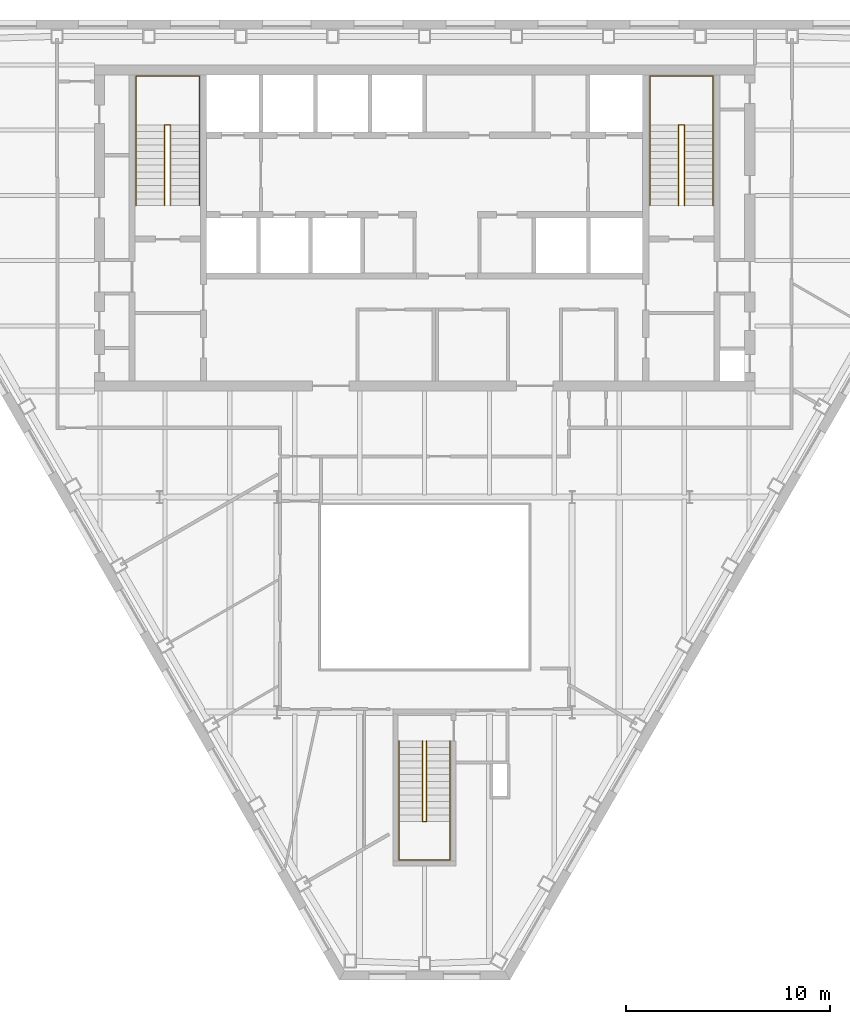
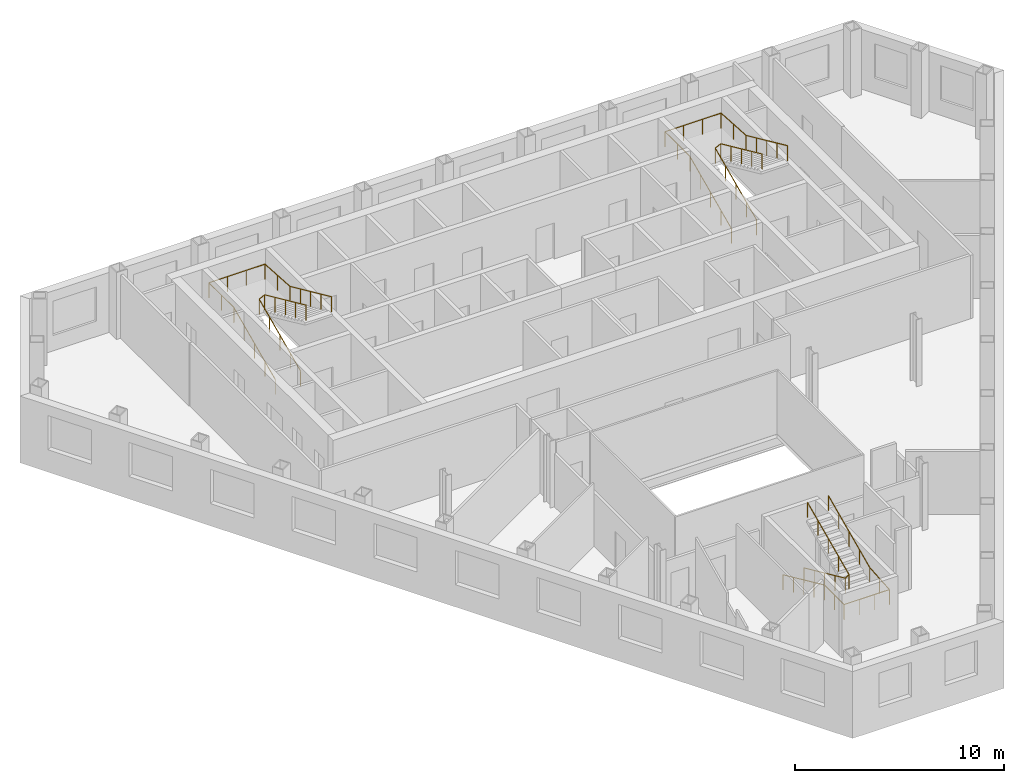
# One storey, part 10 of 10: 6 railings.
"""IFC4 building model written with IfcOpenShell, lengths in metres."""

from ifc_helpers import new_model, si_unit, direction, frame, origin, origin_2d, place, context, subcontext, project, spatial, circle, extrude, material, type_object, element, save


model = new_model("IFC4")

# Units and contexts
model_context = context("Model", 3, precision=1e-05, world=origin(), true_north=direction((0.0, 1.0)))
body_context = subcontext(model_context, "Body", "Model", "MODEL_VIEW")
ifc_project = project(units=[si_unit("LENGTHUNIT", "METRE"), si_unit("AREAUNIT", "SQUARE_METRE"), si_unit("VOLUMEUNIT", "CUBIC_METRE"), si_unit("PLANEANGLEUNIT", "RADIAN"), si_unit("MASSUNIT", "GRAM", prefix="KILO")], contexts=[model_context])

# Site, building, storey
site_placement = place(None, origin())
site = spatial("IfcSite", under=ifc_project, at=site_placement, CompositionType="ELEMENT")
building_placement = place(site_placement, origin())
building = spatial("IfcBuilding", under=site, at=building_placement, Name="Njiva Tower", CompositionType="ELEMENT")
storey_placement = place(building_placement, frame((0.0, 0.0, 167.1)))
storey = spatial("IfcBuildingStorey", under=building, at=storey_placement, Name="L36", CompositionType="ELEMENT", Elevation=167.1)

# Railings
ifc_material = material(Name="Stainless steel", Category="steel")
railing_type = type_object("IfcRailingType", Name="RL1 Stair handrail 900", PredefinedType="HANDRAIL", material=ifc_material)
railing_1_placement = place(storey_placement, frame((-14.15, 11.1, 0.15)))
element("IfcRailing", 1, at=railing_1_placement, inside=storey, type_object=railing_type, Name="Stair A handrail", PredefinedType="HANDRAIL", context=body_context, shape_type="SweptSolid", body=[
    extrude(circle(Radius=0.024, at=origin_2d()), frame((0.0, 0.0, 0.876), z_axis=(0.0, 0.910366477463, 0.413802944301), x_axis=(-1.0, 0.0, 0.0)), (0.0, 0.0, 1.0), 4.3499),
    extrude(circle(Radius=0.024, at=origin_2d()), frame((0.0, 3.96, 2.676), z_axis=(0.0, 1.0, 0.0), x_axis=(-1.0, 0.0, 0.0)), (0.0, 0.0, 1.0), 2.39),
    extrude(circle(Radius=0.024, at=origin_2d()), frame((0.0, 6.35, 2.676), z_axis=(1.0, 0.0, 0.0), x_axis=(0.0, 1.0, 0.0)), (0.0, 0.0, 1.0), 3.1),
    extrude(circle(Radius=0.024, at=origin_2d()), frame((3.1, 6.35, 2.676), z_axis=(0.0, -0.998036296047, 0.062638261258), x_axis=(1.0, 0.0, 0.0)), (0.0, 0.0, 1.0), 2.3947),
    extrude(circle(Radius=0.024, at=origin_2d()), frame((3.1, 3.96, 2.826), z_axis=(0.0, -0.910366477463, 0.413802944301), x_axis=(1.0, 0.0, 0.0)), (0.0, 0.0, 1.0), 4.3499),
    extrude(circle(Radius=0.021, at=origin_2d()), origin(), (0.0, 0.0, 1.0), 0.852),
    extrude(circle(Radius=0.021, at=origin_2d()), frame((0.0, 0.99, 0.45)), (0.0, 0.0, 1.0), 0.852),
    extrude(circle(Radius=0.021, at=origin_2d()), frame((0.0, 1.98, 0.9)), (0.0, 0.0, 1.0), 0.852),
    extrude(circle(Radius=0.021, at=origin_2d()), frame((0.0, 2.97, 1.35)), (0.0, 0.0, 1.0), 0.852),
    extrude(circle(Radius=0.021, at=origin_2d()), frame((0.0, 3.96, 1.8)), (0.0, 0.0, 1.0), 0.852),
    extrude(circle(Radius=0.021, at=origin_2d()), frame((0.0, 5.155, 1.8)), (0.0, 0.0, 1.0), 0.852),
    extrude(circle(Radius=0.021, at=origin_2d()), frame((0.0, 6.35, 1.8)), (0.0, 0.0, 1.0), 0.852),
    extrude(circle(Radius=0.021, at=origin_2d()), frame((1.0333, 6.35, 1.8)), (0.0, 0.0, 1.0), 0.852),
    extrude(circle(Radius=0.021, at=origin_2d()), frame((2.0667, 6.35, 1.8)), (0.0, 0.0, 1.0), 0.852),
    extrude(circle(Radius=0.021, at=origin_2d()), frame((3.1, 6.35, 1.8)), (0.0, 0.0, 1.0), 0.852),
    extrude(circle(Radius=0.021, at=origin_2d()), frame((3.1, 5.155, 1.875)), (0.0, 0.0, 1.0), 0.852),
    extrude(circle(Radius=0.021, at=origin_2d()), frame((3.1, 3.96, 1.95)), (0.0, 0.0, 1.0), 0.852),
    extrude(circle(Radius=0.021, at=origin_2d()), frame((3.1, 2.97, 2.4)), (0.0, 0.0, 1.0), 0.852),
    extrude(circle(Radius=0.021, at=origin_2d()), frame((3.1, 1.98, 2.85)), (0.0, 0.0, 1.0), 0.852),
    extrude(circle(Radius=0.021, at=origin_2d()), frame((3.1, 0.99, 3.3)), (0.0, 0.0, 1.0), 0.852),
    extrude(circle(Radius=0.021, at=origin_2d()), frame((3.1, 0.0, 3.75)), (0.0, 0.0, 1.0), 0.852),
])
railing_2_placement = place(storey_placement, frame((-12.75, 11.1, 0.15)))
element("IfcRailing", 2, at=railing_2_placement, inside=storey, type_object=railing_type, Name="Stair A handrail", PredefinedType="HANDRAIL", context=body_context, shape_type="SweptSolid", body=[
    extrude(circle(Radius=0.024, at=origin_2d()), frame((0.0, 0.0, 0.876), z_axis=(0.0, 0.910366477463, 0.413802944301), x_axis=(-1.0, 0.0, 0.0)), (0.0, 0.0, 1.0), 4.3499),
    extrude(circle(Radius=0.024, at=origin_2d()), frame((0.0, 3.96, 2.676), z_axis=(0.894427191, 0.0, 0.4472135955), x_axis=(0.0, 1.0, 0.0)), (0.0, 0.0, 1.0), 0.3354),
    extrude(circle(Radius=0.024, at=origin_2d()), frame((0.3, 3.96, 2.826), z_axis=(0.0, -0.910366477463, 0.413802944301), x_axis=(1.0, 0.0, 0.0)), (0.0, 0.0, 1.0), 4.3499),
    extrude(circle(Radius=0.021, at=origin_2d()), origin(), (0.0, 0.0, 1.0), 0.852),
    extrude(circle(Radius=0.021, at=origin_2d()), frame((0.0, 0.99, 0.45)), (0.0, 0.0, 1.0), 0.852),
    extrude(circle(Radius=0.021, at=origin_2d()), frame((0.0, 1.98, 0.9)), (0.0, 0.0, 1.0), 0.852),
    extrude(circle(Radius=0.021, at=origin_2d()), frame((0.0, 2.97, 1.35)), (0.0, 0.0, 1.0), 0.852),
    extrude(circle(Radius=0.021, at=origin_2d()), frame((0.0, 3.96, 1.8)), (0.0, 0.0, 1.0), 0.852),
    extrude(circle(Radius=0.021, at=origin_2d()), frame((0.3, 3.96, 1.95)), (0.0, 0.0, 1.0), 0.852),
    extrude(circle(Radius=0.021, at=origin_2d()), frame((0.3, 2.97, 2.4)), (0.0, 0.0, 1.0), 0.852),
    extrude(circle(Radius=0.021, at=origin_2d()), frame((0.3, 1.98, 2.85)), (0.0, 0.0, 1.0), 0.852),
    extrude(circle(Radius=0.021, at=origin_2d()), frame((0.3, 0.99, 3.3)), (0.0, 0.0, 1.0), 0.852),
    extrude(circle(Radius=0.021, at=origin_2d()), frame((0.3, 0.0, 3.75)), (0.0, 0.0, 1.0), 0.852),
])
railing_3_placement = place(storey_placement, frame((11.05, 11.1, 0.15)))
element("IfcRailing", 3, at=railing_3_placement, inside=storey, type_object=railing_type, Name="Stair B handrail", PredefinedType="HANDRAIL", context=body_context, shape_type="SweptSolid", body=[
    extrude(circle(Radius=0.024, at=origin_2d()), frame((0.0, 0.0, 0.876), z_axis=(0.0, 0.910366477463, 0.413802944301), x_axis=(-1.0, 0.0, 0.0)), (0.0, 0.0, 1.0), 4.3499),
    extrude(circle(Radius=0.024, at=origin_2d()), frame((0.0, 3.96, 2.676), z_axis=(0.0, 1.0, 0.0), x_axis=(-1.0, 0.0, 0.0)), (0.0, 0.0, 1.0), 2.39),
    extrude(circle(Radius=0.024, at=origin_2d()), frame((0.0, 6.35, 2.676), z_axis=(1.0, 0.0, 0.0), x_axis=(0.0, 1.0, 0.0)), (0.0, 0.0, 1.0), 3.1),
    extrude(circle(Radius=0.024, at=origin_2d()), frame((3.1, 6.35, 2.676), z_axis=(0.0, -0.998036296047, 0.062638261258), x_axis=(1.0, 0.0, 0.0)), (0.0, 0.0, 1.0), 2.3947),
    extrude(circle(Radius=0.024, at=origin_2d()), frame((3.1, 3.96, 2.826), z_axis=(0.0, -0.910366477463, 0.413802944301), x_axis=(1.0, 0.0, 0.0)), (0.0, 0.0, 1.0), 4.3499),
    extrude(circle(Radius=0.021, at=origin_2d()), origin(), (0.0, 0.0, 1.0), 0.852),
    extrude(circle(Radius=0.021, at=origin_2d()), frame((0.0, 0.99, 0.45)), (0.0, 0.0, 1.0), 0.852),
    extrude(circle(Radius=0.021, at=origin_2d()), frame((0.0, 1.98, 0.9)), (0.0, 0.0, 1.0), 0.852),
    extrude(circle(Radius=0.021, at=origin_2d()), frame((0.0, 2.97, 1.35)), (0.0, 0.0, 1.0), 0.852),
    extrude(circle(Radius=0.021, at=origin_2d()), frame((0.0, 3.96, 1.8)), (0.0, 0.0, 1.0), 0.852),
    extrude(circle(Radius=0.021, at=origin_2d()), frame((0.0, 5.155, 1.8)), (0.0, 0.0, 1.0), 0.852),
    extrude(circle(Radius=0.021, at=origin_2d()), frame((0.0, 6.35, 1.8)), (0.0, 0.0, 1.0), 0.852),
    extrude(circle(Radius=0.021, at=origin_2d()), frame((1.0333, 6.35, 1.8)), (0.0, 0.0, 1.0), 0.852),
    extrude(circle(Radius=0.021, at=origin_2d()), frame((2.0667, 6.35, 1.8)), (0.0, 0.0, 1.0), 0.852),
    extrude(circle(Radius=0.021, at=origin_2d()), frame((3.1, 6.35, 1.8)), (0.0, 0.0, 1.0), 0.852),
    extrude(circle(Radius=0.021, at=origin_2d()), frame((3.1, 5.155, 1.875)), (0.0, 0.0, 1.0), 0.852),
    extrude(circle(Radius=0.021, at=origin_2d()), frame((3.1, 3.96, 1.95)), (0.0, 0.0, 1.0), 0.852),
    extrude(circle(Radius=0.021, at=origin_2d()), frame((3.1, 2.97, 2.4)), (0.0, 0.0, 1.0), 0.852),
    extrude(circle(Radius=0.021, at=origin_2d()), frame((3.1, 1.98, 2.85)), (0.0, 0.0, 1.0), 0.852),
    extrude(circle(Radius=0.021, at=origin_2d()), frame((3.1, 0.99, 3.3)), (0.0, 0.0, 1.0), 0.852),
    extrude(circle(Radius=0.021, at=origin_2d()), frame((3.1, 0.0, 3.75)), (0.0, 0.0, 1.0), 0.852),
])
railing_4_placement = place(storey_placement, frame((12.45, 11.1, 0.15)))
element("IfcRailing", 4, at=railing_4_placement, inside=storey, type_object=railing_type, Name="Stair B handrail", PredefinedType="HANDRAIL", context=body_context, shape_type="SweptSolid", body=[
    extrude(circle(Radius=0.024, at=origin_2d()), frame((0.0, 0.0, 0.876), z_axis=(0.0, 0.910366477463, 0.413802944301), x_axis=(-1.0, 0.0, 0.0)), (0.0, 0.0, 1.0), 4.3499),
    extrude(circle(Radius=0.024, at=origin_2d()), frame((0.0, 3.96, 2.676), z_axis=(0.894427191, 0.0, 0.4472135955), x_axis=(0.0, 1.0, 0.0)), (0.0, 0.0, 1.0), 0.3354),
    extrude(circle(Radius=0.024, at=origin_2d()), frame((0.3, 3.96, 2.826), z_axis=(0.0, -0.910366477463, 0.413802944301), x_axis=(1.0, 0.0, 0.0)), (0.0, 0.0, 1.0), 4.3499),
    extrude(circle(Radius=0.021, at=origin_2d()), origin(), (0.0, 0.0, 1.0), 0.852),
    extrude(circle(Radius=0.021, at=origin_2d()), frame((0.0, 0.99, 0.45)), (0.0, 0.0, 1.0), 0.852),
    extrude(circle(Radius=0.021, at=origin_2d()), frame((0.0, 1.98, 0.9)), (0.0, 0.0, 1.0), 0.852),
    extrude(circle(Radius=0.021, at=origin_2d()), frame((0.0, 2.97, 1.35)), (0.0, 0.0, 1.0), 0.852),
    extrude(circle(Radius=0.021, at=origin_2d()), frame((0.0, 3.96, 1.8)), (0.0, 0.0, 1.0), 0.852),
    extrude(circle(Radius=0.021, at=origin_2d()), frame((0.3, 3.96, 1.95)), (0.0, 0.0, 1.0), 0.852),
    extrude(circle(Radius=0.021, at=origin_2d()), frame((0.3, 2.97, 2.4)), (0.0, 0.0, 1.0), 0.852),
    extrude(circle(Radius=0.021, at=origin_2d()), frame((0.3, 1.98, 2.85)), (0.0, 0.0, 1.0), 0.852),
    extrude(circle(Radius=0.021, at=origin_2d()), frame((0.3, 0.99, 3.3)), (0.0, 0.0, 1.0), 0.852),
    extrude(circle(Radius=0.021, at=origin_2d()), frame((0.3, 0.0, 3.75)), (0.0, 0.0, 1.0), 0.852),
])
railing_5_placement = place(storey_placement, frame((-1.25, -15.16, 0.15)))
element("IfcRailing", 5, at=railing_5_placement, inside=storey, type_object=railing_type, Name="Stair C handrail", PredefinedType="HANDRAIL", context=body_context, shape_type="SweptSolid", body=[
    extrude(circle(Radius=0.024, at=origin_2d()), frame((0.0, 0.0, 0.876), z_axis=(0.0, -0.910366477463, 0.413802944301), x_axis=(1.0, 0.0, 0.0)), (0.0, 0.0, 1.0), 4.3499),
    extrude(circle(Radius=0.024, at=origin_2d()), frame((0.0, -3.96, 2.676), z_axis=(0.0, -1.0, 0.0), x_axis=(1.0, 0.0, 0.0)), (0.0, 0.0, 1.0), 1.88),
    extrude(circle(Radius=0.024, at=origin_2d()), frame((0.0, -5.84, 2.676), z_axis=(1.0, 0.0, 0.0), x_axis=(0.0, 1.0, 0.0)), (0.0, 0.0, 1.0), 2.5),
    extrude(circle(Radius=0.024, at=origin_2d()), frame((2.5, -5.84, 2.676), z_axis=(0.0, 0.996832115713, 0.079534477318), x_axis=(-1.0, 0.0, 0.0)), (0.0, 0.0, 1.0), 1.886),
    extrude(circle(Radius=0.024, at=origin_2d()), frame((2.5, -3.96, 2.826), z_axis=(0.0, 0.910366477463, 0.413802944301), x_axis=(-1.0, 0.0, 0.0)), (0.0, 0.0, 1.0), 4.3499),
    extrude(circle(Radius=0.021, at=origin_2d()), origin(), (0.0, 0.0, 1.0), 0.852),
    extrude(circle(Radius=0.021, at=origin_2d()), frame((0.0, -0.99, 0.45)), (0.0, 0.0, 1.0), 0.852),
    extrude(circle(Radius=0.021, at=origin_2d()), frame((0.0, -1.98, 0.9)), (0.0, 0.0, 1.0), 0.852),
    extrude(circle(Radius=0.021, at=origin_2d()), frame((0.0, -2.97, 1.35)), (0.0, 0.0, 1.0), 0.852),
    extrude(circle(Radius=0.021, at=origin_2d()), frame((0.0, -3.96, 1.8)), (0.0, 0.0, 1.0), 0.852),
    extrude(circle(Radius=0.021, at=origin_2d()), frame((0.0, -4.9, 1.8)), (0.0, 0.0, 1.0), 0.852),
    extrude(circle(Radius=0.021, at=origin_2d()), frame((0.0, -5.84, 1.8)), (0.0, 0.0, 1.0), 0.852),
    extrude(circle(Radius=0.021, at=origin_2d()), frame((0.8333, -5.84, 1.8)), (0.0, 0.0, 1.0), 0.852),
    extrude(circle(Radius=0.021, at=origin_2d()), frame((1.6667, -5.84, 1.8)), (0.0, 0.0, 1.0), 0.852),
    extrude(circle(Radius=0.021, at=origin_2d()), frame((2.5, -5.84, 1.8)), (0.0, 0.0, 1.0), 0.852),
    extrude(circle(Radius=0.021, at=origin_2d()), frame((2.5, -4.9, 1.875)), (0.0, 0.0, 1.0), 0.852),
    extrude(circle(Radius=0.021, at=origin_2d()), frame((2.5, -3.96, 1.95)), (0.0, 0.0, 1.0), 0.852),
    extrude(circle(Radius=0.021, at=origin_2d()), frame((2.5, -2.97, 2.4)), (0.0, 0.0, 1.0), 0.852),
    extrude(circle(Radius=0.021, at=origin_2d()), frame((2.5, -1.98, 2.85)), (0.0, 0.0, 1.0), 0.852),
    extrude(circle(Radius=0.021, at=origin_2d()), frame((2.5, -0.99, 3.3)), (0.0, 0.0, 1.0), 0.852),
    extrude(circle(Radius=0.021, at=origin_2d()), frame((2.5, 0.0, 3.75)), (0.0, 0.0, 1.0), 0.852),
])
railing_6_placement = place(storey_placement, frame((-0.1, -15.16, 0.15)))
element("IfcRailing", 6, at=railing_6_placement, inside=storey, type_object=railing_type, Name="Stair C handrail", PredefinedType="HANDRAIL", context=body_context, shape_type="SweptSolid", body=[
    extrude(circle(Radius=0.024, at=origin_2d()), frame((0.0, 0.0, 0.876), z_axis=(0.0, -0.910366477463, 0.413802944301), x_axis=(1.0, 0.0, 0.0)), (0.0, 0.0, 1.0), 4.3499),
    extrude(circle(Radius=0.024, at=origin_2d()), frame((0.0, -3.96, 2.676), z_axis=(0.8, 0.0, 0.6), x_axis=(0.0, 1.0, 0.0)), (0.0, 0.0, 1.0), 0.25),
    extrude(circle(Radius=0.024, at=origin_2d()), frame((0.2, -3.96, 2.826), z_axis=(0.0, 0.910366477463, 0.413802944301), x_axis=(-1.0, 0.0, 0.0)), (0.0, 0.0, 1.0), 4.3499),
    extrude(circle(Radius=0.021, at=origin_2d()), origin(), (0.0, 0.0, 1.0), 0.852),
    extrude(circle(Radius=0.021, at=origin_2d()), frame((0.0, -0.99, 0.45)), (0.0, 0.0, 1.0), 0.852),
    extrude(circle(Radius=0.021, at=origin_2d()), frame((0.0, -1.98, 0.9)), (0.0, 0.0, 1.0), 0.852),
    extrude(circle(Radius=0.021, at=origin_2d()), frame((0.0, -2.97, 1.35)), (0.0, 0.0, 1.0), 0.852),
    extrude(circle(Radius=0.021, at=origin_2d()), frame((0.0, -3.96, 1.8)), (0.0, 0.0, 1.0), 0.852),
    extrude(circle(Radius=0.021, at=origin_2d()), frame((0.2, -3.96, 1.95)), (0.0, 0.0, 1.0), 0.852),
    extrude(circle(Radius=0.021, at=origin_2d()), frame((0.2, -2.97, 2.4)), (0.0, 0.0, 1.0), 0.852),
    extrude(circle(Radius=0.021, at=origin_2d()), frame((0.2, -1.98, 2.85)), (0.0, 0.0, 1.0), 0.852),
    extrude(circle(Radius=0.021, at=origin_2d()), frame((0.2, -0.99, 3.3)), (0.0, 0.0, 1.0), 0.852),
    extrude(circle(Radius=0.021, at=origin_2d()), frame((0.2, 0.0, 3.75)), (0.0, 0.0, 1.0), 0.852),
])

save(model, "model.ifc")
